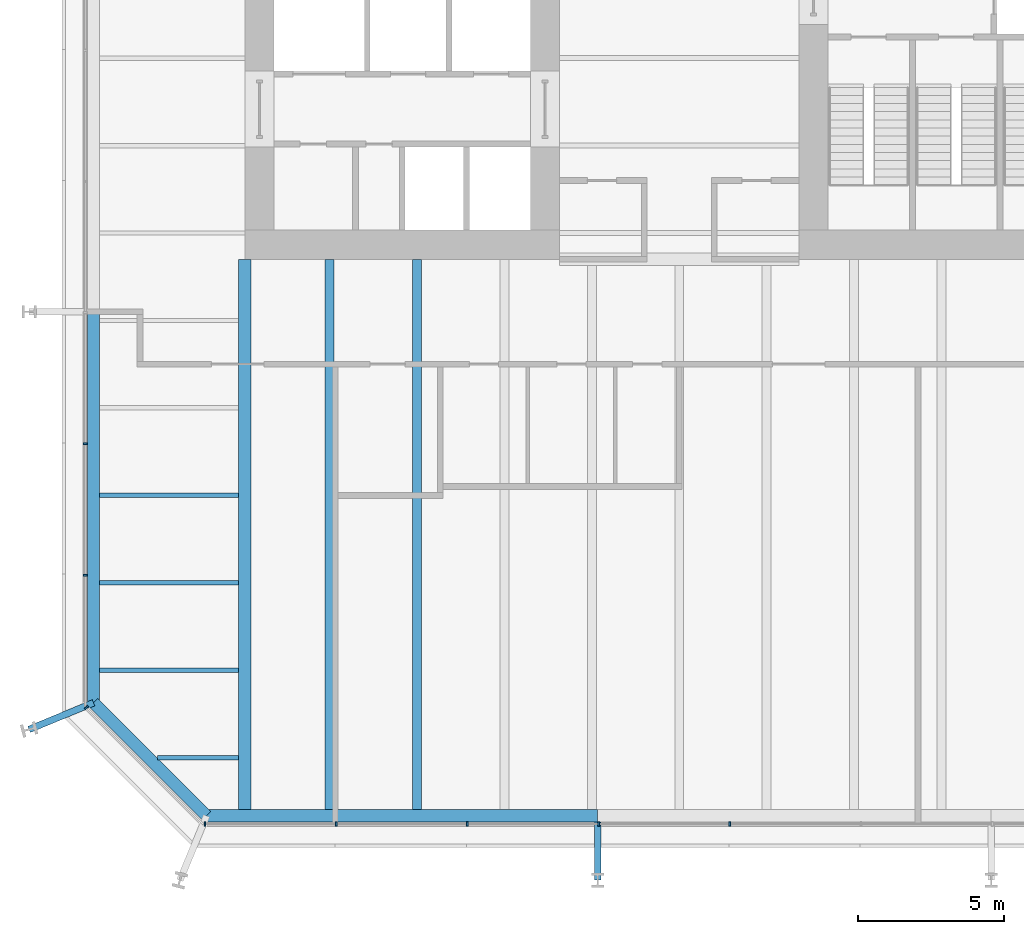
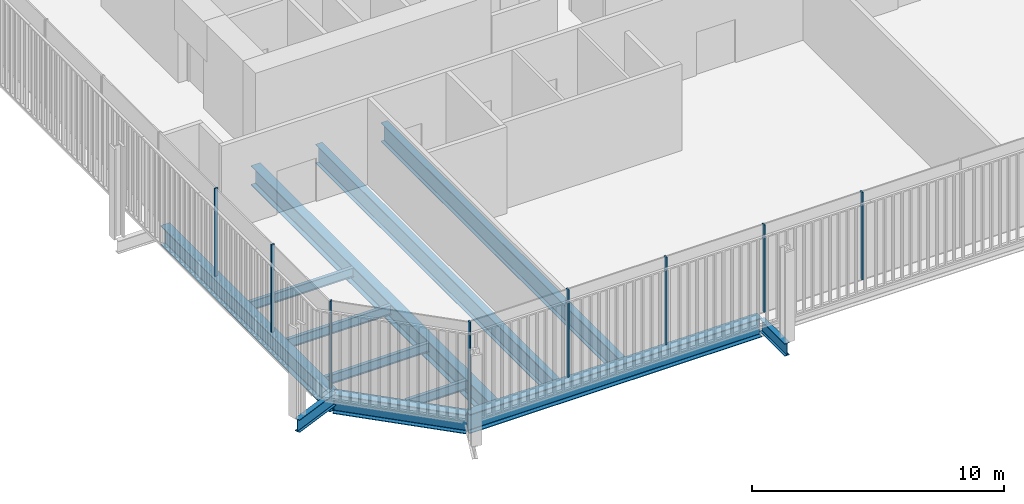
# One storey, part 2 of 20: 12 beams, 8 members, 3 elements without a shape of their own.
"""IFC4 building model written with IfcOpenShell, lengths in metres."""

from ifc_helpers import new_model, si_unit, direction, frame, origin, origin_2d, place, context, subcontext, project, spatial, rectangle, i_section, extrude, material, layer, layer_set, material_profile, profile_set, type_object, element, aggregate, save


model = new_model("IFC4")

# Units and contexts
model_context = context("Model", 3, precision=1e-05, world=origin(), true_north=direction((0.0, 1.0)))
body_context = subcontext(model_context, "Body", "Model", "MODEL_VIEW")
ifc_project = project(units=[si_unit("LENGTHUNIT", "METRE"), si_unit("AREAUNIT", "SQUARE_METRE"), si_unit("VOLUMEUNIT", "CUBIC_METRE"), si_unit("PLANEANGLEUNIT", "RADIAN"), si_unit("MASSUNIT", "GRAM", prefix="KILO")], contexts=[model_context])

# Site, building, storey
site_placement = place(None, origin())
site = spatial("IfcSite", under=ifc_project, at=site_placement, CompositionType="ELEMENT")
building_placement = place(site_placement, origin())
building = spatial("IfcBuilding", under=site, at=building_placement, Name="Millrace Tower", CompositionType="ELEMENT")
storey_placement = place(building_placement, frame((0.0, 0.0, 86.39990234375)))
storey = spatial("IfcBuildingStorey", under=building, at=storey_placement, Name="L19", CompositionType="ELEMENT", Elevation=86.39990234375)

# Curtain wall, member
ifc_material_1 = material(Name="Aluminium and glass", Category="aluminium")
ifc_layer = layer(ifc_material_1, 0.14990234375)
ifc_layer_set = layer_set([ifc_layer], Name="Aluminium and glass")
curtain_wall_type = type_object("IfcCurtainWallType", Name="CW-3 telecom floor curtain wall", PredefinedType="NOTDEFINED", material=ifc_layer_set)
placement = place(storey_placement, origin())
curtain_wall_1 = element("IfcCurtainWall", 1, at=placement, inside=storey, type_object=curtain_wall_type, Name="Curtain wall B-F01 L19", PredefinedType="NOTDEFINED")
ifc_material_2 = material(Name="Aluminium", Category="aluminium")
ifc_material_profile_1 = material_profile(ifc_material_2, rectangle(XDim=0.06494140625, YDim=0.14990234375, at=origin_2d()))
ifc_profile_set_1 = profile_set([ifc_material_profile_1], Name="Aluminium")
member_type = type_object("IfcMemberType", Name="CW-3 telecom floor curtain wall mullion", PredefinedType="MULLION", material=ifc_profile_set_1)
member_1_placement = place(storey_placement, frame((-20.330078125, -25.276123046875, 0.150146484375), z_axis=(0.0, 0.0, 1.0), x_axis=(0.707106781187, -0.707106781187, 0.0)))
member_1 = element("IfcMember", 2, at=member_1_placement, type_object=member_type, Name="CW3 mullion B-F01.1", PredefinedType="MULLION", context=body_context, shape_type="SweptSolid", body=[
    extrude(rectangle(XDim=0.06494140625, YDim=0.14990234375, at=origin_2d()), origin(), (0.0, 0.0, 1.0), 4.25),
])
aggregate(curtain_wall_1, [member_1])

# Curtain wall, members
curtain_wall_2 = element("IfcCurtainWall", 3, at=placement, inside=storey, type_object=curtain_wall_type, Name="Curtain wall B-F02 L19", PredefinedType="NOTDEFINED")
member_2_placement = place(storey_placement, frame((-16.267578125, -29.27490234375, 0.150146484375), z_axis=(0.0, 0.0, 1.0), x_axis=(1.0, 0.0, 0.0)))
member_2 = element("IfcMember", 4, at=member_2_placement, type_object=member_type, Name="CW3 mullion B-F02.1", PredefinedType="MULLION", context=body_context, shape_type="SweptSolid", body=[
    extrude(rectangle(XDim=0.06494140625, YDim=0.14990234375, at=origin_2d()), origin(), (0.0, 0.0, 1.0), 4.25),
])
member_3_placement = place(storey_placement, frame((-11.767578125, -29.27490234375, 0.150146484375), z_axis=(0.0, 0.0, 1.0), x_axis=(1.0, 0.0, 0.0)))
member_3 = element("IfcMember", 5, at=member_3_placement, type_object=member_type, Name="CW3 mullion B-F02.2", PredefinedType="MULLION", context=body_context, shape_type="SweptSolid", body=[
    extrude(rectangle(XDim=0.06494140625, YDim=0.14990234375, at=origin_2d()), origin(), (0.0, 0.0, 1.0), 4.25),
])
member_4_placement = place(storey_placement, frame((-7.267578125, -29.27490234375, 0.150146484375), z_axis=(0.0, 0.0, 1.0), x_axis=(1.0, 0.0, 0.0)))
member_4 = element("IfcMember", 6, at=member_4_placement, type_object=member_type, Name="CW3 mullion B-F02.3", PredefinedType="MULLION", context=body_context, shape_type="SweptSolid", body=[
    extrude(rectangle(XDim=0.06494140625, YDim=0.14990234375, at=origin_2d()), origin(), (0.0, 0.0, 1.0), 4.25),
])
member_5_placement = place(storey_placement, frame((-2.767578125, -29.27490234375, 0.150146484375), z_axis=(0.0, 0.0, 1.0), x_axis=(1.0, 0.0, 0.0)))
member_5 = element("IfcMember", 7, at=member_5_placement, type_object=member_type, Name="CW3 mullion B-F02.4", PredefinedType="MULLION", context=body_context, shape_type="SweptSolid", body=[
    extrude(rectangle(XDim=0.06494140625, YDim=0.14990234375, at=origin_2d()), origin(), (0.0, 0.0, 1.0), 4.25),
])
member_6_placement = place(storey_placement, frame((1.732421875, -29.27490234375, 0.150146484375), z_axis=(0.0, 0.0, 1.0), x_axis=(1.0, 0.0, 0.0)))
member_6 = element("IfcMember", 8, at=member_6_placement, type_object=member_type, Name="CW3 mullion B-F02.5", PredefinedType="MULLION", context=body_context, shape_type="SweptSolid", body=[
    extrude(rectangle(XDim=0.06494140625, YDim=0.14990234375, at=origin_2d()), origin(), (0.0, 0.0, 1.0), 4.25),
])
aggregate(curtain_wall_2, [member_2, member_3, member_4, member_5, member_6])

curtain_wall_3 = element("IfcCurtainWall", 9, at=placement, inside=storey, type_object=curtain_wall_type, Name="Curtain wall B-F08 L19", PredefinedType="NOTDEFINED")
member_7_placement = place(storey_placement, frame((-20.375, -16.232421875, 0.150146484375), z_axis=(0.0, 0.0, 1.0), x_axis=(0.0, -1.0, 0.0)))
member_7 = element("IfcMember", 10, at=member_7_placement, type_object=member_type, Name="CW3 mullion B-F08.8", PredefinedType="MULLION", context=body_context, shape_type="SweptSolid", body=[
    extrude(rectangle(XDim=0.06494140625, YDim=0.14990234375, at=origin_2d()), origin(), (0.0, 0.0, 1.0), 4.25),
])
member_8_placement = place(storey_placement, frame((-20.375, -20.732421875, 0.150146484375), z_axis=(0.0, 0.0, 1.0), x_axis=(0.0, -1.0, 0.0)))
member_8 = element("IfcMember", 11, at=member_8_placement, type_object=member_type, Name="CW3 mullion B-F08.9", PredefinedType="MULLION", context=body_context, shape_type="SweptSolid", body=[
    extrude(rectangle(XDim=0.06494140625, YDim=0.14990234375, at=origin_2d()), origin(), (0.0, 0.0, 1.0), 4.25),
])
aggregate(curtain_wall_3, [member_7, member_8])

# Beams
ifc_material_3 = material(Name="Steel ASTM A992 Grade 50", Category="steel")
ifc_material_profile_2 = material_profile(ifc_material_3, i_section(OverallWidth=0.15234375, OverallDepth=0.449462890625, WebThickness=0.007568359375, FlangeThickness=0.0107421875, FilletRadius=0.01025390625, at=origin_2d()))
ifc_profile_set_2 = profile_set([ifc_material_profile_2], Name="Steel ASTM A992 Grade 50")
beam_type_1 = type_object("IfcBeamType", Name="Floor beam W18x35", PredefinedType="JOIST", material=ifc_profile_set_2)
for number, where, z_axis, x_axis, name in (
    (12, (-19.880859375, -24.0, -0.4248046875), (1.0, 0.0, 0.0), (0.0, 1.0, 0.0), "BM-B-L19-S1-S003"),
    (13, (-19.880859375, -21.0, -0.4248046875), (1.0, 0.0, 0.0), (0.0, 1.0, 0.0), "BM-B-L19-S1-S005"),
    (14, (-19.880859375, -18.0, -0.4248046875), (1.0, 0.0, 0.0), (0.0, 1.0, 0.0), "BM-B-L19-S1-S007"),
):
    element("IfcBeam", number, at=place(storey_placement, frame(where, z_axis=z_axis, x_axis=x_axis)), inside=storey, type_object=beam_type_1, Name=name, PredefinedType="JOIST", context=body_context, shape_type="SweptSolid", body=[
        extrude(i_section(OverallWidth=0.15234375, OverallDepth=0.449462890625, WebThickness=0.007568359375, FlangeThickness=0.0107421875, FilletRadius=0.01025390625, at=origin_2d()), origin(), (0.0, 0.0, 1.0), 4.77001953125),
    ])
beam_1_placement = place(storey_placement, frame((-17.895263671875, -27.0, -0.4248046875), z_axis=(1.0, 0.0, 0.0), x_axis=(0.0, 1.0, 0.0)))
element("IfcBeam", 15, at=beam_1_placement, inside=storey, type_object=beam_type_1, Name="BM-B-L19-S1-S001", PredefinedType="JOIST", context=body_context, shape_type="SweptSolid", body=[
    extrude(i_section(OverallWidth=0.15234375, OverallDepth=0.449462890625, WebThickness=0.007568359375, FlangeThickness=0.0107421875, FilletRadius=0.01025390625, at=origin_2d()), origin(), (0.0, 0.0, 1.0), 2.784423828125),
])
ifc_material_4 = material(Name="Steel ASTM A992 Grade 50", Category="steel")
ifc_material_profile_3 = material_profile(ifc_material_4, i_section(OverallWidth=0.307373046875, OverallDepth=0.927001953125, WebThickness=0.01953125, FlangeThickness=0.031982421875, FilletRadius=0.01904296875, at=origin_2d()))
ifc_profile_set_3 = profile_set([ifc_material_profile_3], Name="Steel ASTM A992 Grade 50")
beam_type_2 = type_object("IfcBeamType", Name="Floor beam W36x194", PredefinedType="JOIST", material=ifc_profile_set_3)
for number, where, z_axis, x_axis, name in (
    (16, (-12.0, -28.781005859375, -0.66357421875), (0.0, 1.0, 0.0), (-1.0, 0.0, 0.0), "BM-B-L19-S1-S041"),
    (17, (-9.0, -28.781005859375, -0.66357421875), (0.0, 1.0, 0.0), (-1.0, 0.0, 0.0), "BM-B-L19-S1-S043"),
):
    element("IfcBeam", number, at=place(storey_placement, frame(where, z_axis=z_axis, x_axis=x_axis)), inside=storey, type_object=beam_type_2, Name=name, PredefinedType="JOIST", context=body_context, shape_type="SweptSolid", body=[
        extrude(i_section(OverallWidth=0.307373046875, OverallDepth=0.927001953125, WebThickness=0.01953125, FlangeThickness=0.031982421875, FilletRadius=0.01904296875, at=origin_2d()), origin(), (0.0, 0.0, 1.0), 18.881103515625),
    ])
ifc_material_5 = material(Name="Steel ASTM A992 Grade 50", Category="steel")
ifc_material_profile_4 = material_profile(ifc_material_5, i_section(OverallWidth=0.424072265625, OverallDepth=0.947509765625, WebThickness=0.02392578125, FlangeThickness=0.042724609375, FilletRadius=0.024169921875, at=origin_2d()))
ifc_profile_set_4 = profile_set([ifc_material_profile_4], Name="Steel ASTM A992 Grade 50")
beam_type_3 = type_object("IfcBeamType", Name="Girder medium span W36x302", PredefinedType="BEAM", material=ifc_profile_set_4)
beam_2_placement = place(storey_placement, frame((-14.89990234375, -28.781005859375, -0.673583984375), z_axis=(0.0, 1.0, 0.0), x_axis=(-1.0, 0.0, 0.0)))
element("IfcBeam", 18, at=beam_2_placement, inside=storey, type_object=beam_type_3, Name="BM-B-L19-S1-G059", PredefinedType="BEAM", context=body_context, shape_type="SweptSolid", body=[
    extrude(i_section(OverallWidth=0.424072265625, OverallDepth=0.947509765625, WebThickness=0.02392578125, FlangeThickness=0.042724609375, FilletRadius=0.024169921875, at=origin_2d()), origin(), (0.0, 0.0, 1.0), 18.881103515625),
])
ifc_material_6 = material(Name="Steel ASTM A992 Grade 50", Category="steel")
ifc_material_profile_5 = material_profile(ifc_material_6, i_section(OverallWidth=0.23046875, OverallDepth=0.6171875, WebThickness=0.01318359375, FlangeThickness=0.022216796875, FilletRadius=0.012939453125, at=origin_2d()))
ifc_profile_set_5 = profile_set([ifc_material_profile_5], Name="Steel ASTM A992 Grade 50")
beam_type_4 = type_object("IfcBeamType", Name="Link beam W24x94", PredefinedType="BEAM", material=ifc_profile_set_5)
beam_3_placement = place(storey_placement, frame((-20.09033203125, -25.11328125, -0.508544921875), z_axis=(-0.923917312949, -0.382592209583, 0.0), x_axis=(0.382592209583, -0.923917312949, 0.0)))
element("IfcBeam", 19, at=beam_3_placement, inside=storey, type_object=beam_type_4, Name="LNK-B-L19-S1-01", PredefinedType="BEAM", context=body_context, shape_type="SweptSolid", body=[
    extrude(i_section(OverallWidth=0.23046875, OverallDepth=0.6171875, WebThickness=0.01318359375, FlangeThickness=0.022216796875, FilletRadius=0.012939453125, at=origin_2d()), origin(), (0.0, 0.0, 1.0), 2.3916015625),
])
beam_4_placement = place(storey_placement, frame((-2.800048828125, -29.199951171875, -0.508544921875), z_axis=(0.0, -1.0, 0.0), x_axis=(1.0, 0.0, 0.0)))
element("IfcBeam", 20, at=beam_4_placement, inside=storey, type_object=beam_type_4, Name="LNK-B-L19-S1-15", PredefinedType="BEAM", context=body_context, shape_type="SweptSolid", body=[
    extrude(i_section(OverallWidth=0.23046875, OverallDepth=0.6171875, WebThickness=0.01318359375, FlangeThickness=0.022216796875, FilletRadius=0.012939453125, at=origin_2d()), origin(), (0.0, 0.0, 1.0), 2.0),
])
ifc_material_7 = material(Name="Steel ASTM A992 Grade 50", Category="steel")
ifc_material_profile_6 = material_profile(ifc_material_7, i_section(OverallWidth=0.419189453125, OverallDepth=0.927001953125, WebThickness=0.019287109375, FlangeThickness=0.031982421875, FilletRadius=0.024169921875, at=origin_2d()))
ifc_profile_set_6 = profile_set([ifc_material_profile_6], Name="Steel ASTM A992 Grade 50")
beam_type_5 = type_object("IfcBeamType", Name="Ring beam medium span W36x231", PredefinedType="SPANDREL", material=ifc_profile_set_6)
beam_5_placement = place(storey_placement, frame((-20.09033203125, -25.11328125, -0.66357421875), z_axis=(0.0, 1.0, 0.0), x_axis=(-1.0, 0.0, 0.0)))
element("IfcBeam", 21, at=beam_5_placement, inside=storey, type_object=beam_type_5, Name="RNG-B-L19-S1-01", PredefinedType="SPANDREL", context=body_context, shape_type="SweptSolid", body=[
    extrude(i_section(OverallWidth=0.419189453125, OverallDepth=0.927001953125, WebThickness=0.019287109375, FlangeThickness=0.031982421875, FilletRadius=0.024169921875, at=origin_2d()), origin(), (0.0, 0.0, 1.0), 13.413330078125),
])
beam_6_placement = place(storey_placement, frame((-2.800048828125, -28.990478515625, -0.66357421875), z_axis=(-1.0, 0.0, 0.0), x_axis=(0.0, -1.0, 0.0)))
element("IfcBeam", 22, at=beam_6_placement, inside=storey, type_object=beam_type_5, Name="RNG-B-L19-S1-15", PredefinedType="SPANDREL", context=body_context, shape_type="SweptSolid", body=[
    extrude(i_section(OverallWidth=0.419189453125, OverallDepth=0.927001953125, WebThickness=0.019287109375, FlangeThickness=0.031982421875, FilletRadius=0.024169921875, at=origin_2d()), origin(), (0.0, 0.0, 1.0), 13.4130859375),
])
ifc_material_8 = material(Name="Steel ASTM A992 Grade 50", Category="steel")
ifc_material_profile_7 = material_profile(ifc_material_8, i_section(OverallWidth=0.419189453125, OverallDepth=0.927001953125, WebThickness=0.019287109375, FlangeThickness=0.031982421875, FilletRadius=0.024169921875, at=origin_2d()))
ifc_profile_set_7 = profile_set([ifc_material_profile_7], Name="Steel ASTM A992 Grade 50")
beam_type_6 = type_object("IfcBeamType", Name="Ring beam short span W36x231", PredefinedType="SPANDREL", material=ifc_profile_set_7)
beam_7_placement = place(storey_placement, frame((-16.213134765625, -28.990478515625, -0.66357421875), z_axis=(-0.707106781187, 0.707106781187, 0.0), x_axis=(-0.707106781187, -0.707106781187, 0.0)))
element("IfcBeam", 23, at=beam_7_placement, inside=storey, type_object=beam_type_6, Name="RNG-B-L19-S1-16", PredefinedType="SPANDREL", context=body_context, shape_type="SweptSolid", body=[
    extrude(i_section(OverallWidth=0.419189453125, OverallDepth=0.927001953125, WebThickness=0.019287109375, FlangeThickness=0.031982421875, FilletRadius=0.024169921875, at=origin_2d()), origin(), (0.0, 0.0, 1.0), 5.483154296875),
])

save(model, "model.ifc")
